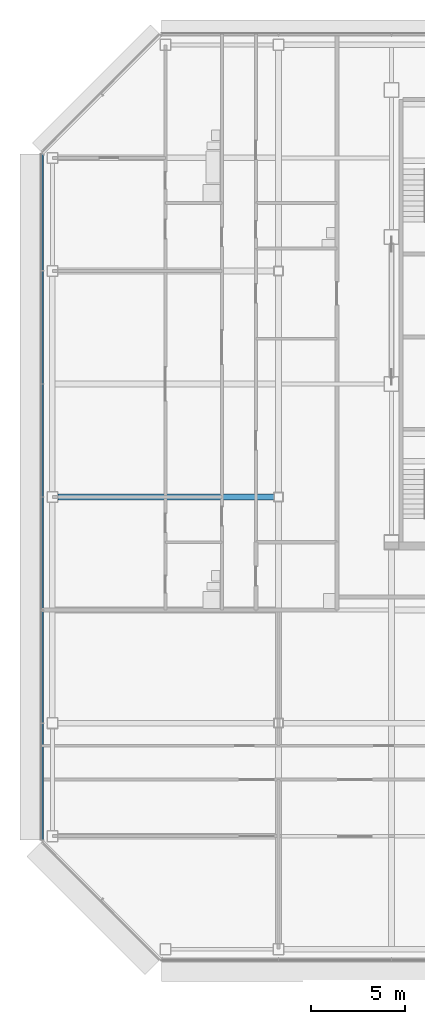
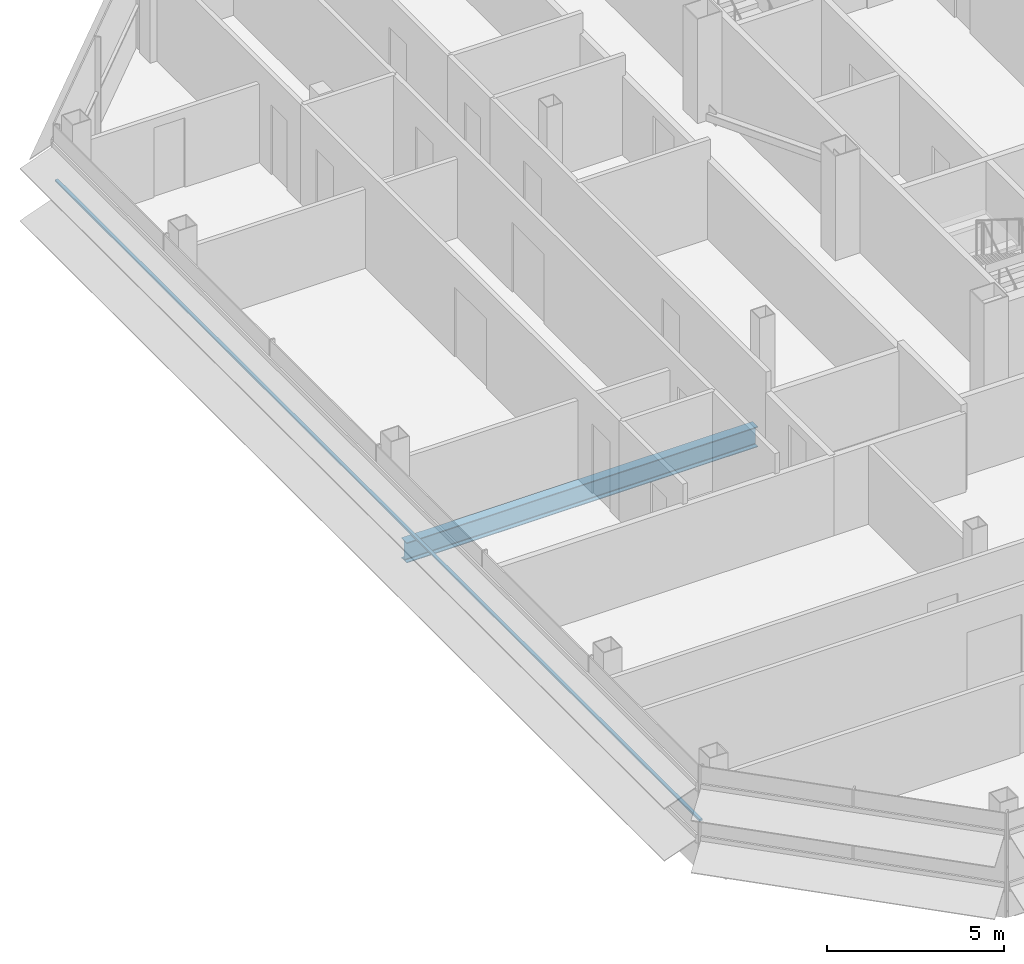
# One storey, part 6 of 28: 1 beam, 1 member, 1 element without a shape of its own.
"""IFC4 building model written with IfcOpenShell, lengths in metres."""

from ifc_helpers import new_model, si_unit, direction, frame, origin, origin_2d, place, context, subcontext, project, spatial, rectangle, i_section, extrude, material, material_profile, profile_set, type_object, element, aggregate, save


model = new_model("IFC4")

# Units and contexts
model_context = context("Model", 3, precision=1e-05, world=origin(), true_north=direction((0.0, 1.0)))
body_context = subcontext(model_context, "Body", "Model", "MODEL_VIEW")
ifc_project = project(units=[si_unit("LENGTHUNIT", "METRE"), si_unit("AREAUNIT", "SQUARE_METRE"), si_unit("VOLUMEUNIT", "CUBIC_METRE"), si_unit("PLANEANGLEUNIT", "RADIAN"), si_unit("MASSUNIT", "GRAM", prefix="KILO")], contexts=[model_context])

# Site, building, storey
site_placement = place(None, origin())
site = spatial("IfcSite", under=ifc_project, at=site_placement, CompositionType="ELEMENT")
building_placement = place(site_placement, origin())
building = spatial("IfcBuilding", under=site, at=building_placement, Name="Sorahane Residences", CompositionType="ELEMENT")
storey_placement = place(building_placement, frame((0.0, 0.0, 250.39990234375)))
storey = spatial("IfcBuildingStorey", under=building, at=storey_placement, Name="L59", CompositionType="ELEMENT", Elevation=250.39990234375)

# Curtain wall, member
ifc_material_1 = material(Name="Dark low-e glass and black anodised aluminium", Category="aluminium")
curtain_wall_type = type_object("IfcCurtainWallType", Name="Curtain wall CW-1 Typical unitised wall", PredefinedType="NOTDEFINED", material=ifc_material_1)
curtain_wall_placement = place(storey_placement, origin())
curtain_wall = element("IfcCurtainWall", 1, at=curtain_wall_placement, inside=storey, type_object=curtain_wall_type, Name="CW-1 curtain wall L59 W1", PredefinedType="NOTDEFINED")
ifc_material_2 = material(Name="Black anodised aluminium", Category="aluminium")
ifc_material_profile_1 = material_profile(ifc_material_2, rectangle(XDim=0.10009765625, YDim=0.06005859375, at=origin_2d()), Name="Curtain wall transom CW-1 black anodised aluminium 60x100")
ifc_profile_set_1 = profile_set([ifc_material_profile_1], Name="Black anodised aluminium")
member_type = type_object("IfcMemberType", Name="Curtain wall transom CW-1 black anodised aluminium 60x100", PredefinedType="USERDEFINED", material=ifc_profile_set_1)
member_placement = place(storey_placement, frame((-12.530029296875, 42.198486328125, 1.5), z_axis=(0.0, -1.0, 0.0), x_axis=(1.0, 0.0, 0.0)))
member = element("IfcMember", 2, at=member_placement, type_object=member_type, Name="CW-1 transom L59 W1", ObjectType="TRANSOM", PredefinedType="USERDEFINED", context=body_context, shape_type="SweptSolid", body=[
    extrude(rectangle(XDim=0.10009765625, YDim=0.06005859375, at=origin_2d()), origin(), (0.0, 0.0, 1.0), 36.39697265625),
])
aggregate(curtain_wall, [member])

# Beam
ifc_material_3 = material(Name="Steel Q355B", Category="steel")
ifc_material_profile_2 = material_profile(ifc_material_3, i_section(OverallWidth=0.300048828125, OverallDepth=0.699951171875, WebThickness=0.012939453125, FlangeThickness=0.02392578125, FilletRadius=0.028076171875, at=origin_2d()), Name="HN 700x300x13x24")
ifc_profile_set_2 = profile_set([ifc_material_profile_2], Name="Steel Q355B")
beam_type = type_object("IfcBeamType", Name="Steel floor beam HN 700x300x13x24 Q355B", PredefinedType="BEAM", material=ifc_profile_set_2)
beam_placement = place(storey_placement, frame((-11.699951171875, 24.0, -0.52978515625), z_axis=(1.0, 0.0, 0.0), x_axis=(0.0, 1.0, 0.0)))
element("IfcBeam", 3, at=beam_placement, inside=storey, type_object=beam_type, Name="Beam L59 011", PredefinedType="BEAM", context=body_context, shape_type="SweptSolid", body=[
    extrude(i_section(OverallWidth=0.300048828125, OverallDepth=0.699951171875, WebThickness=0.012939453125, FlangeThickness=0.02392578125, FilletRadius=0.028076171875, at=origin_2d()), origin(), (0.0, 0.0, 1.0), 11.449951171875),
])

save(model, "model.ifc")
